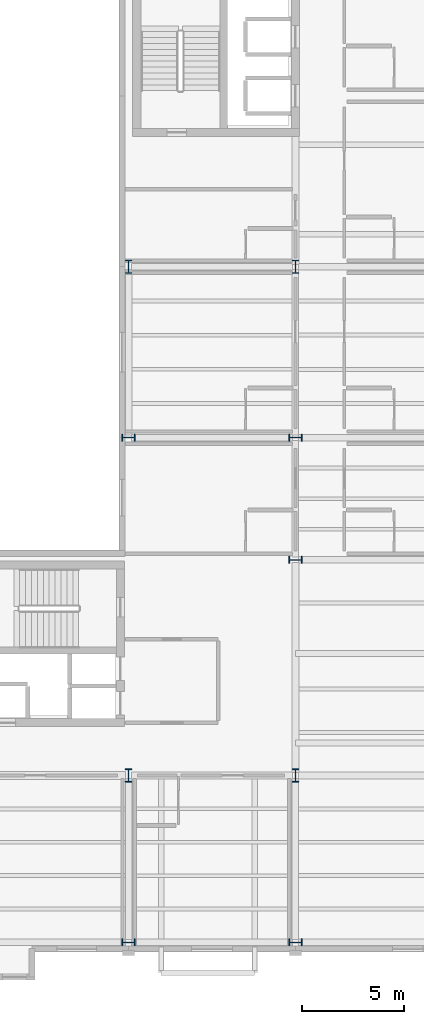
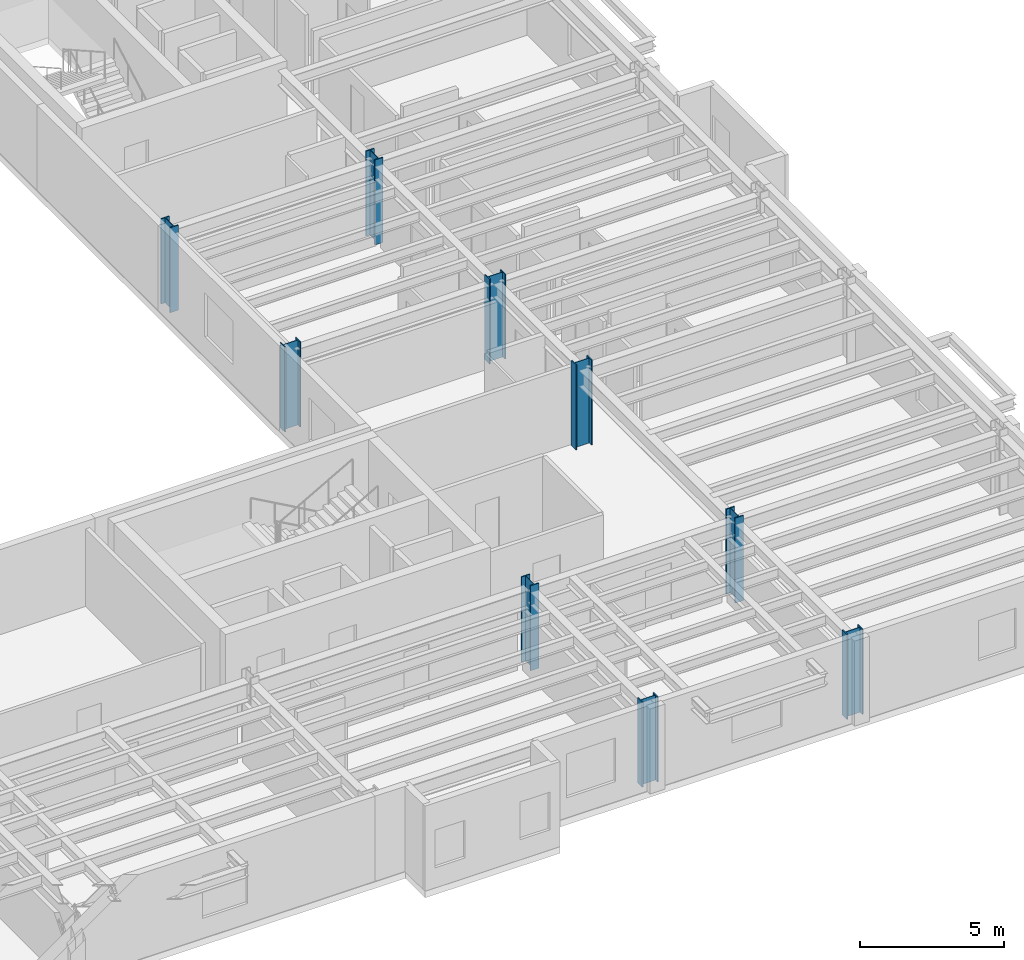
# One storey, part 3 of 27: 9 columns.
"""IFC4 building model written with IfcOpenShell, lengths in metres."""

from ifc_helpers import new_model, si_unit, direction, frame, origin, origin_2d, place, context, subcontext, project, spatial, i_section, extrude, material, material_profile, profile_set, type_object, element, save


model = new_model("IFC4")

# Units and contexts
model_context = context("Model", 3, precision=1e-05, world=origin(), true_north=direction((0.0, 1.0)))
body_context = subcontext(model_context, "Body", "Model", "MODEL_VIEW")
ifc_project = project(units=[si_unit("LENGTHUNIT", "METRE"), si_unit("AREAUNIT", "SQUARE_METRE"), si_unit("VOLUMEUNIT", "CUBIC_METRE"), si_unit("PLANEANGLEUNIT", "RADIAN"), si_unit("MASSUNIT", "GRAM", prefix="KILO")], contexts=[model_context])

# Site, building, storey
site_placement = place(None, origin())
site = spatial("IfcSite", under=ifc_project, at=site_placement, CompositionType="ELEMENT")
building_placement = place(site_placement, origin())
building = spatial("IfcBuilding", under=site, at=building_placement, Name="Sollismere Congress Hotel", CompositionType="ELEMENT")
storey_placement = place(building_placement, frame((0.0, 0.0, 27.0)))
storey = spatial("IfcBuildingStorey", under=building, at=storey_placement, Name="L06", CompositionType="ELEMENT", Elevation=27.0)

# Columns
ifc_material = material(Name="Steel ASTM A992 Grade 50", Category="steel")
ifc_material_profile = material_profile(ifc_material, i_section(OverallWidth=0.3330078125, OverallDepth=0.659912109375, WebThickness=0.0244140625, FlangeThickness=0.0439453125, at=origin_2d()), Name="W24X229")
ifc_profile_set = profile_set([ifc_material_profile], Name="Steel ASTM A992 Grade 50")
column_type = type_object("IfcColumnType", Name="COL-W24", PredefinedType="COLUMN", material=ifc_profile_set)
for number, where, z_axis, x_axis, name in (
    (1, (147.199951171875, 0.0, 0.0), (0.0, 0.0, 1.0), (0.0, 1.0, 0.0), "Column CL-L06-787"),
    (2, (147.199951171875, 8.199951171875, 0.0), (0.0, 0.0, 1.0), (1.0, 0.0, 0.0), "Column CL-L06-800"),
    (3, (147.199951171875, 24.800048828125, 0.0), (0.0, 0.0, 1.0), (0.0, 1.0, 0.0), "Column CL-L06-813"),
    (4, (147.199951171875, 33.199951171875, 0.0), (0.0, 0.0, 1.0), (1.0, 0.0, 0.0), "Column CL-L06-826"),
    (5, (155.39990234375, 0.0, 0.0), (0.0, 0.0, 1.0), (0.0, 1.0, 0.0), "Column CL-L06-862"),
    (6, (155.39990234375, 8.199951171875, 0.0), (0.0, 0.0, 1.0), (1.0, 0.0, 0.0), "Column CL-L06-875"),
    (7, (155.39990234375, 18.800048828125, 0.0), (0.0, 0.0, 1.0), (0.0, 1.0, 0.0), "Column CL-L06-888"),
    (8, (155.39990234375, 24.800048828125, 0.0), (0.0, 0.0, 1.0), (0.0, 1.0, 0.0), "Column CL-L06-901"),
    (9, (155.39990234375, 33.199951171875, 0.0), (0.0, 0.0, 1.0), (1.0, 0.0, 0.0), "Column CL-L06-914"),
):
    element("IfcColumn", number, at=place(storey_placement, frame(where, z_axis=z_axis, x_axis=x_axis)), inside=storey, type_object=column_type, Name=name, PredefinedType="COLUMN", context=body_context, shape_type="SweptSolid", body=[
        extrude(i_section(OverallWidth=0.3330078125, OverallDepth=0.659912109375, WebThickness=0.0244140625, FlangeThickness=0.0439453125, at=origin_2d()), origin(), (0.0, 0.0, 1.0), 3.60009765625),
    ])

save(model, "model.ifc")
